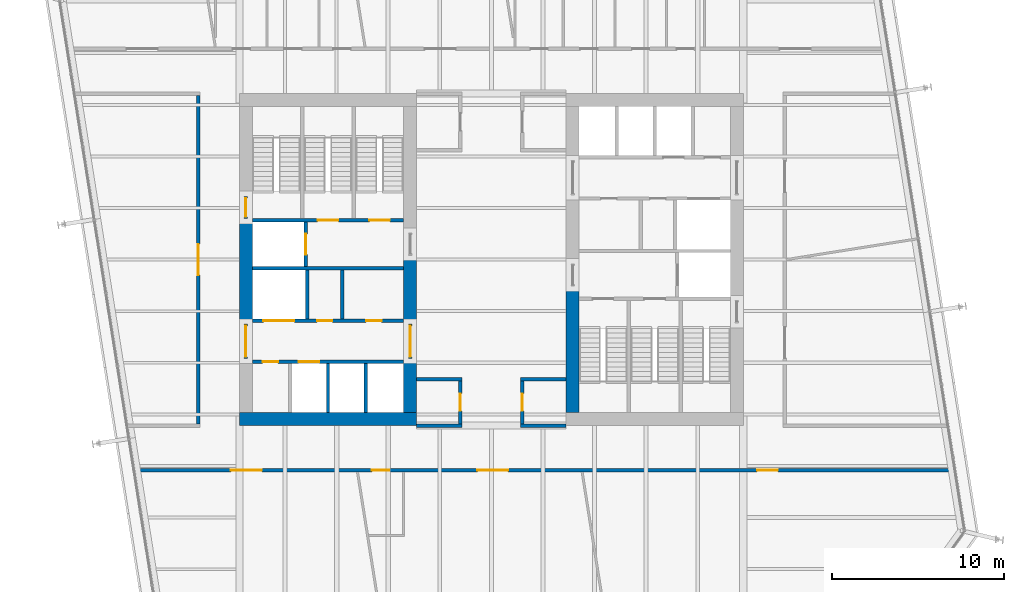
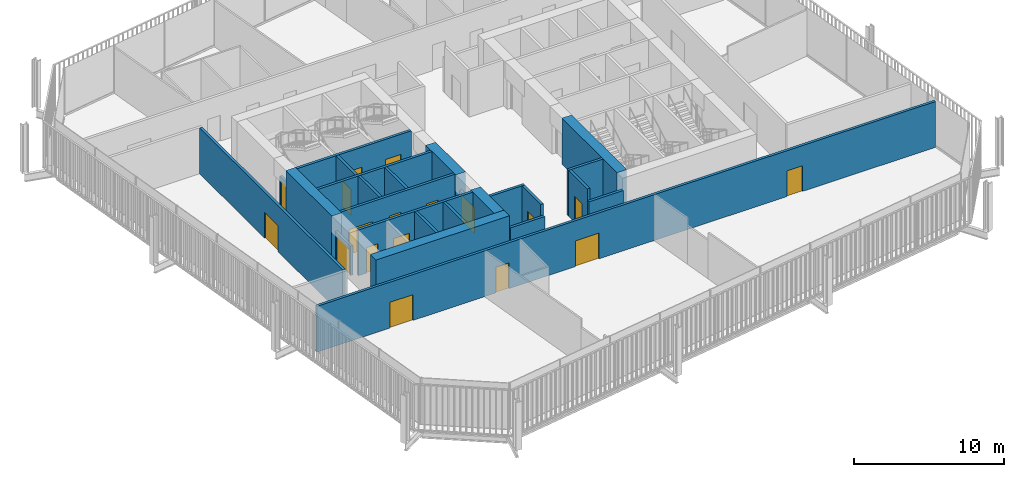
# One storey, part 17 of 21: 25 walls, 18 doors, 18 openings.
"""IFC4 building model written with IfcOpenShell, lengths in metres."""

from ifc_helpers import new_model, si_unit, direction, frame, frame_2d, origin, place, context, subcontext, project, spatial, rectangle, extrude, material, layer, layer_set, type_object, element, fill, save


model = new_model("IFC4")

# Units and contexts
model_context = context("Model", 3, precision=1e-05, world=origin(), true_north=direction((0.0, 1.0)))
body_context = subcontext(model_context, "Body", "Model", "MODEL_VIEW")
ifc_project = project(units=[si_unit("LENGTHUNIT", "METRE"), si_unit("AREAUNIT", "SQUARE_METRE"), si_unit("VOLUMEUNIT", "CUBIC_METRE"), si_unit("PLANEANGLEUNIT", "RADIAN"), si_unit("MASSUNIT", "GRAM", prefix="KILO")], contexts=[model_context])

# Site, building, storey
site_placement = place(None, origin())
site = spatial("IfcSite", under=ifc_project, at=site_placement, CompositionType="ELEMENT")
building_placement = place(site_placement, origin())
building = spatial("IfcBuilding", under=site, at=building_placement, Name="Millrace Tower", CompositionType="ELEMENT")
storey_placement = place(building_placement, frame((0.0, 0.0, 183.89990234375)))
storey = spatial("IfcBuildingStorey", under=building, at=storey_placement, Name="L41", CompositionType="ELEMENT", Elevation=183.89990234375)

# Walls
ifc_material_1 = material(Name="Concrete C70", Category="concrete")
ifc_layer_1 = layer(ifc_material_1, 0.75)
ifc_layer_set_1 = layer_set([ifc_layer_1], Name="Concrete C70")
wall_type_1 = type_object("IfcWallType", Name="Core wall 750 Concrete C70", PredefinedType="SHEAR", material=ifc_layer_set_1)
wall_1_placement = place(storey_placement, frame((-14.64990234375, -9.27490234375, 0.0), z_axis=(0.0, 0.0, 1.0), x_axis=(1.0, 0.0, 0.0)))
element("IfcWall", 1, at=wall_1_placement, inside=storey, type_object=wall_type_1, Name="Core wall W L41", PredefinedType="SHEAR", context=body_context, shape_type="SweptSolid", body=[
    extrude(rectangle(XDim=10.2998046875, YDim=0.75, at=frame_2d((5.14990234375, 0.0))), origin(), (0.0, 0.0, 1.0), 3.739990234375),
])
wall_2_placement = place(storey_placement, frame((-14.27490234375, -3.75, 0.0), z_axis=(0.0, 0.0, 1.0), x_axis=(0.0, 1.0, 0.0)))
element("IfcWall", 2, at=wall_2_placement, inside=storey, type_object=wall_type_1, Name="Core wall W L41", PredefinedType="SHEAR", context=body_context, shape_type="SweptSolid", body=[
    extrude(rectangle(XDim=6.1298828125, YDim=0.75, at=frame_2d((3.06494140625, 0.0))), origin(), (0.0, 0.0, 1.0), 3.739990234375),
])
wall_3_placement = place(storey_placement, frame((-4.72509765625, -8.89990234375, 0.0), z_axis=(0.0, 0.0, 1.0), x_axis=(0.0, 1.0, 0.0)))
element("IfcWall", 3, at=wall_3_placement, inside=storey, type_object=wall_type_1, Name="Core wall W L41", PredefinedType="SHEAR", context=body_context, shape_type="SweptSolid", body=[
    extrude(rectangle(XDim=3.14990234375, YDim=0.75, at=frame_2d((1.574951171875, 0.0))), origin(), (0.0, 0.0, 1.0), 3.739990234375),
])
wall_4_placement = place(storey_placement, frame((-4.72509765625, -3.75, 0.0), z_axis=(0.0, 0.0, 1.0), x_axis=(0.0, 1.0, 0.0)))
element("IfcWall", 4, at=wall_4_placement, inside=storey, type_object=wall_type_1, Name="Core wall W L41", PredefinedType="SHEAR", context=body_context, shape_type="SweptSolid", body=[
    extrude(rectangle(XDim=4.0, YDim=0.75, at=frame_2d((2.0, 0.0))), origin(), (0.0, 0.0, 1.0), 3.739990234375),
])
wall_5_placement = place(storey_placement, frame((4.72509765625, -1.550048828125, 0.0), z_axis=(0.0, 0.0, 1.0), x_axis=(0.0, -1.0, 0.0)))
element("IfcWall", 5, at=wall_5_placement, inside=storey, type_object=wall_type_1, Name="Core wall E L41", PredefinedType="SHEAR", context=body_context, shape_type="SweptSolid", body=[
    extrude(rectangle(XDim=7.349853515625, YDim=0.75, at=frame_2d((3.6748046875, 0.0))), origin(), (0.0, 0.0, 1.0), 3.739990234375),
])

# Wall, openings, doors
ifc_material_2 = material(Name="Masonry partition, fire-rated", Category="masonry")
ifc_layer_2 = layer(ifc_material_2, 0.199951171875)
ifc_layer_set_2 = layer_set([ifc_layer_2], Name="Masonry partition, fire-rated")
wall_type_2 = type_object("IfcWallType", Name="Corridor wall 200", PredefinedType="PARTITIONING", material=ifc_layer_set_2)
wall_6_placement = place(storey_placement, frame((-20.738525390625, -12.25, 0.0), z_axis=(0.0, 0.0, 1.0), x_axis=(1.0, 0.0, 0.0)))
wall_6 = element("IfcWall", 6, at=wall_6_placement, inside=storey, type_object=wall_type_2, Name="Corridor wall L41", PredefinedType="PARTITIONING", context=body_context, shape_type="SweptSolid", body=[
    extrude(rectangle(XDim=47.646484375, YDim=0.199951171875, at=frame_2d((23.8232421875, 0.0))), origin(), (0.0, 0.0, 1.0), 3.739990234375),
])
opening_1_placement = place(wall_6_placement, frame((5.594970703125, 0.0, 0.0)))
opening_1 = element("IfcOpeningElement", 7, at=opening_1_placement, cuts=wall_6, Name="Opening 41-P014", PredefinedType="OPENING", context=body_context, shape_type="SweptSolid", body=[
    extrude(rectangle(XDim=1.800048828125, YDim=2.10009765625, at=frame_2d((0.89990234375, 1.050048828125))), frame((0.0, 0.10986328125, 0.0), z_axis=(0.0, -1.0, 0.0), x_axis=(1.0, 0.0, 0.0)), (0.0, 0.0, 1.0), 0.219970703125),
])
opening_2_placement = place(wall_6_placement, frame((19.919921875, 0.0, 0.0)))
opening_2 = element("IfcOpeningElement", 8, at=opening_2_placement, cuts=wall_6, Name="Opening 41-P015", PredefinedType="OPENING", context=body_context, shape_type="SweptSolid", body=[
    extrude(rectangle(XDim=1.800048828125, YDim=2.10009765625, at=frame_2d((0.89990234375, 1.050048828125))), frame((0.0, 0.10986328125, 0.0), z_axis=(0.0, -1.0, 0.0), x_axis=(1.0, 0.0, 0.0)), (0.0, 0.0, 1.0), 0.219970703125),
])
opening_3_placement = place(wall_6_placement, frame((13.78955078125, 0.0, 0.0)))
opening_3 = element("IfcOpeningElement", 9, at=opening_3_placement, cuts=wall_6, Name="Opening 41-P016", PredefinedType="OPENING", context=body_context, shape_type="SweptSolid", body=[
    extrude(rectangle(XDim=1.0, YDim=2.10009765625, at=frame_2d((0.5, 1.050048828125))), frame((0.0, 0.10986328125, 0.0), z_axis=(0.0, -1.0, 0.0), x_axis=(1.0, 0.0, 0.0)), (0.0, 0.0, 1.0), 0.219970703125),
])
opening_4_placement = place(wall_6_placement, frame((36.197998046875, 0.0, 0.0)))
opening_4 = element("IfcOpeningElement", 10, at=opening_4_placement, cuts=wall_6, Name="Opening 41-P017", PredefinedType="OPENING", context=body_context, shape_type="SweptSolid", body=[
    extrude(rectangle(XDim=1.199951171875, YDim=2.10009765625, at=frame_2d((0.60009765625, 1.050048828125))), frame((0.0, 0.10986328125, 0.0), z_axis=(0.0, -1.0, 0.0), x_axis=(1.0, 0.0, 0.0)), (0.0, 0.0, 1.0), 0.219970703125),
])
ifc_material_3 = material(Name="Steel door set, fire-rated", Category="steel")
door_type_1 = type_object("IfcDoorType", Name="Corridor door 1000 x 2100", OperationType="SINGLE_SWING_LEFT", PredefinedType="DOOR", material=ifc_material_3)
door_1_placement = place(opening_3_placement, frame((1.0, 0.0, 0.0), z_axis=(0.0, 0.0, 1.0), x_axis=(-1.0, 0.0, 0.0)))
door_1 = element("IfcDoor", 11, at=door_1_placement, inside=storey, type_object=door_type_1, Name="Door 41-P016", OperationType="SINGLE_SWING_RIGHT", OverallHeight=2.10009765625, OverallWidth=1.0, PredefinedType="DOOR", context=body_context, shape_type="SweptSolid", body=[
    extrude(rectangle(XDim=1.0, YDim=2.10009765625, at=frame_2d((0.5, 1.050048828125))), frame((0.0, 0.02490234375, 0.0), z_axis=(0.0, -1.0, 0.0), x_axis=(1.0, 0.0, 0.0)), (0.0, 0.0, 1.0), 0.050048828125),
])
fill(opening_3, door_1)
ifc_material_4 = material(Name="Steel door set, fire-rated", Category="steel")
door_type_2 = type_object("IfcDoorType", Name="Corridor door 1200 x 2100", OperationType="SINGLE_SWING_LEFT", PredefinedType="DOOR", material=ifc_material_4)
door_2_placement = place(opening_4_placement, origin())
door_2 = element("IfcDoor", 12, at=door_2_placement, inside=storey, type_object=door_type_2, Name="Door 41-P017", OperationType="SINGLE_SWING_RIGHT", OverallHeight=2.10009765625, OverallWidth=1.199951171875, PredefinedType="DOOR", context=body_context, shape_type="SweptSolid", body=[
    extrude(rectangle(XDim=1.199951171875, YDim=2.10009765625, at=frame_2d((0.60009765625, 1.050048828125))), frame((0.0, 0.02490234375, 0.0), z_axis=(0.0, -1.0, 0.0), x_axis=(1.0, 0.0, 0.0)), (0.0, 0.0, 1.0), 0.050048828125),
])
fill(opening_4, door_2)
ifc_material_5 = material(Name="Steel door set, fire-rated", Category="steel")
door_type_3 = type_object("IfcDoorType", Name="Corridor door 1800 x 2100", OperationType="DOUBLE_DOOR_SINGLE_SWING", PredefinedType="DOOR", material=ifc_material_5)
door_3_placement = place(opening_1_placement, origin())
door_3 = element("IfcDoor", 13, at=door_3_placement, inside=storey, type_object=door_type_3, Name="Door 41-P014", OperationType="DOUBLE_DOOR_SINGLE_SWING", OverallHeight=2.10009765625, OverallWidth=1.800048828125, PredefinedType="DOOR", context=body_context, shape_type="SweptSolid", body=[
    extrude(rectangle(XDim=1.800048828125, YDim=2.10009765625, at=frame_2d((0.89990234375, 1.050048828125))), frame((0.0, 0.02490234375, 0.0), z_axis=(0.0, -1.0, 0.0), x_axis=(1.0, 0.0, 0.0)), (0.0, 0.0, 1.0), 0.050048828125),
])
fill(opening_1, door_3)
door_4_placement = place(opening_2_placement, frame((1.800048828125, 0.0, 0.0), z_axis=(0.0, 0.0, 1.0), x_axis=(-1.0, 0.0, 0.0)))
door_4 = element("IfcDoor", 14, at=door_4_placement, inside=storey, type_object=door_type_3, Name="Door 41-P015", OperationType="DOUBLE_DOOR_SINGLE_SWING", OverallHeight=2.10009765625, OverallWidth=1.800048828125, PredefinedType="DOOR", context=body_context, shape_type="SweptSolid", body=[
    extrude(rectangle(XDim=1.800048828125, YDim=2.10009765625, at=frame_2d((0.89990234375, 1.050048828125))), frame((0.0, 0.02490234375, 0.0), z_axis=(0.0, -1.0, 0.0), x_axis=(1.0, 0.0, 0.0)), (0.0, 0.0, 1.0), 0.050048828125),
])
fill(opening_2, door_4)

# Walls
for number, where, z_axis, x_axis, name in (
    (15, (-4.35009765625, -9.64990234375, 0.0), (0.0, 0.0, 1.0), (1.0, 0.0, 0.0), "Corridor wall L41"),
    (16, (1.699951171875, -9.64990234375, 0.0), (0.0, 0.0, 1.0), (1.0, 0.0, 0.0), "Corridor wall L41"),
):
    element("IfcWall", number, at=place(storey_placement, frame(where, z_axis=z_axis, x_axis=x_axis)), inside=storey, type_object=wall_type_2, Name=name, PredefinedType="PARTITIONING", context=body_context, shape_type="SweptSolid", body=[
        extrude(rectangle(XDim=2.650146484375, YDim=0.199951171875, at=frame_2d((1.3251953125, 0.0))), origin(), (0.0, 0.0, 1.0), 2.81298828125),
    ])
for number, where, z_axis, x_axis, name in (
    (17, (-4.35009765625, -6.949951171875, 0.0), (0.0, 0.0, 1.0), (1.0, 0.0, 0.0), "Corridor wall L41"),
    (18, (1.699951171875, -6.949951171875, 0.0), (0.0, 0.0, 1.0), (1.0, 0.0, 0.0), "Corridor wall L41"),
):
    element("IfcWall", number, at=place(storey_placement, frame(where, z_axis=z_axis, x_axis=x_axis)), inside=storey, type_object=wall_type_2, Name=name, PredefinedType="PARTITIONING", context=body_context, shape_type="SweptSolid", body=[
        extrude(rectangle(XDim=2.650146484375, YDim=0.199951171875, at=frame_2d((1.3251953125, 0.0))), origin(), (0.0, 0.0, 1.0), 3.739990234375),
    ])

# Wall, opening, door
wall_7_placement = place(storey_placement, frame((1.800048828125, -9.550048828125, 0.0), z_axis=(0.0, 0.0, 1.0), x_axis=(0.0, 1.0, 0.0)))
wall_7 = element("IfcWall", 19, at=wall_7_placement, inside=storey, type_object=wall_type_2, Name="Corridor wall L41", PredefinedType="PARTITIONING", context=body_context, shape_type="SweptSolid", body=[
    extrude(rectangle(XDim=2.5, YDim=0.199951171875, at=frame_2d((1.25, 0.0))), origin(), (0.0, 0.0, 1.0), 3.739990234375),
])
opening_5_placement = place(wall_7_placement, frame((0.75, 0.0, 0.0)))
opening_5 = element("IfcOpeningElement", 20, at=opening_5_placement, cuts=wall_7, Name="Opening 41-P004", PredefinedType="OPENING", context=body_context, shape_type="SweptSolid", body=[
    extrude(rectangle(XDim=1.0, YDim=2.10009765625, at=frame_2d((0.5, 1.050048828125))), frame((0.0, 0.10986328125, 0.0), z_axis=(0.0, -1.0, 0.0), x_axis=(1.0, 0.0, 0.0)), (0.0, 0.0, 1.0), 0.219970703125),
])
door_5_placement = place(opening_5_placement, frame((1.0, 0.0, 0.0), z_axis=(0.0, 0.0, 1.0), x_axis=(-1.0, 0.0, 0.0)))
door_5 = element("IfcDoor", 21, at=door_5_placement, inside=storey, type_object=door_type_1, Name="Door 41-P004", OperationType="SINGLE_SWING_RIGHT", OverallHeight=2.10009765625, OverallWidth=1.0, PredefinedType="DOOR", context=body_context, shape_type="SweptSolid", body=[
    extrude(rectangle(XDim=1.0, YDim=2.10009765625, at=frame_2d((0.5, 1.050048828125))), frame((0.0, 0.02490234375, 0.0), z_axis=(0.0, -1.0, 0.0), x_axis=(1.0, 0.0, 0.0)), (0.0, 0.0, 1.0), 0.050048828125),
])
fill(opening_5, door_5)

wall_8_placement = place(storey_placement, frame((-1.800048828125, -9.550048828125, 0.0), z_axis=(0.0, 0.0, 1.0), x_axis=(0.0, 1.0, 0.0)))
wall_8 = element("IfcWall", 22, at=wall_8_placement, inside=storey, type_object=wall_type_2, Name="Corridor wall L41", PredefinedType="PARTITIONING", context=body_context, shape_type="SweptSolid", body=[
    extrude(rectangle(XDim=2.5, YDim=0.199951171875, at=frame_2d((1.25, 0.0))), origin(), (0.0, 0.0, 1.0), 3.739990234375),
])
opening_6_placement = place(wall_8_placement, frame((0.75, 0.0, 0.0)))
opening_6 = element("IfcOpeningElement", 23, at=opening_6_placement, cuts=wall_8, Name="Opening 41-P003", PredefinedType="OPENING", context=body_context, shape_type="SweptSolid", body=[
    extrude(rectangle(XDim=1.0, YDim=2.10009765625, at=frame_2d((0.5, 1.050048828125))), frame((0.0, 0.10986328125, 0.0), z_axis=(0.0, -1.0, 0.0), x_axis=(1.0, 0.0, 0.0)), (0.0, 0.0, 1.0), 0.219970703125),
])
door_6_placement = place(opening_6_placement, origin())
door_6 = element("IfcDoor", 24, at=door_6_placement, inside=storey, type_object=door_type_1, Name="Door 41-P003", OperationType="SINGLE_SWING_LEFT", OverallHeight=2.10009765625, OverallWidth=1.0, PredefinedType="DOOR", context=body_context, shape_type="SweptSolid", body=[
    extrude(rectangle(XDim=1.0, YDim=2.10009765625, at=frame_2d((0.5, 1.050048828125))), frame((0.0, 0.02490234375, 0.0), z_axis=(0.0, -1.0, 0.0), x_axis=(1.0, 0.0, 0.0)), (0.0, 0.0, 1.0), 0.050048828125),
])
fill(opening_6, door_6)

wall_9_placement = place(storey_placement, frame((-17.050048828125, -9.550048828125, 0.0), z_axis=(0.0, 0.0, 1.0), x_axis=(0.0, 1.0, 0.0)))
wall_9 = element("IfcWall", 25, at=wall_9_placement, inside=storey, type_object=wall_type_2, Name="Corridor wall L41", PredefinedType="PARTITIONING", context=body_context, shape_type="SweptSolid", body=[
    extrude(rectangle(XDim=19.10009765625, YDim=0.199951171875, at=frame_2d((9.550048828125, 0.0))), origin(), (0.0, 0.0, 1.0), 3.739990234375),
])
opening_7_placement = place(wall_9_placement, frame((8.64990234375, 0.0, 0.0)))
opening_7 = element("IfcOpeningElement", 26, at=opening_7_placement, cuts=wall_9, Name="Opening 41-P018", PredefinedType="OPENING", context=body_context, shape_type="SweptSolid", body=[
    extrude(rectangle(XDim=1.800048828125, YDim=2.10009765625, at=frame_2d((0.89990234375, 1.050048828125))), frame((0.0, 0.10986328125, 0.0), z_axis=(0.0, -1.0, 0.0), x_axis=(1.0, 0.0, 0.0)), (0.0, 0.0, 1.0), 0.219970703125),
])
door_7_placement = place(opening_7_placement, origin())
door_7 = element("IfcDoor", 27, at=door_7_placement, inside=storey, type_object=door_type_3, Name="Door 41-P018", OperationType="DOUBLE_DOOR_SINGLE_SWING", OverallHeight=2.10009765625, OverallWidth=1.800048828125, PredefinedType="DOOR", context=body_context, shape_type="SweptSolid", body=[
    extrude(rectangle(XDim=1.800048828125, YDim=2.10009765625, at=frame_2d((0.89990234375, 1.050048828125))), frame((0.0, 0.02490234375, 0.0), z_axis=(0.0, -1.0, 0.0), x_axis=(1.0, 0.0, 0.0)), (0.0, 0.0, 1.0), 0.050048828125),
])
fill(opening_7, door_7)

# Wall, openings, doors
ifc_material_6 = material(Name="Masonry partition, fire-rated", Category="masonry")
ifc_layer_3 = layer(ifc_material_6, 0.199951171875)
ifc_layer_set_3 = layer_set([ifc_layer_3], Name="Masonry partition, fire-rated")
wall_type_3 = type_object("IfcWallType", Name="Lift shaft wall 200", PredefinedType="PARTITIONING", material=ifc_layer_set_3)
wall_10_placement = place(storey_placement, frame((-13.89990234375, -5.949951171875, 0.0), z_axis=(0.0, 0.0, 1.0), x_axis=(1.0, 0.0, 0.0)))
wall_10 = element("IfcWall", 28, at=wall_10_placement, inside=storey, type_object=wall_type_3, Name="Lift shaft wall W L41", PredefinedType="PARTITIONING", context=body_context, shape_type="SweptSolid", body=[
    extrude(rectangle(XDim=8.7998046875, YDim=0.199951171875, at=frame_2d((4.39990234375, 0.0))), origin(), (0.0, 0.0, 1.0), 3.739990234375),
])
opening_8_placement = place(wall_10_placement, frame((2.699951171875, 0.0, 0.0)))
opening_8 = element("IfcOpeningElement", 29, at=opening_8_placement, cuts=wall_10, Name="Opening 41-LD02", PredefinedType="OPENING", context=body_context, shape_type="SweptSolid", body=[
    extrude(rectangle(XDim=1.199951171875, YDim=2.10009765625, at=frame_2d((0.60009765625, 1.050048828125))), frame((0.0, 0.10986328125, 0.0), z_axis=(0.0, -1.0, 0.0), x_axis=(1.0, 0.0, 0.0)), (0.0, 0.0, 1.0), 0.219970703125),
])
opening_9_placement = place(wall_10_placement, frame((0.60009765625, 0.0, 0.0)))
opening_9 = element("IfcOpeningElement", 30, at=opening_9_placement, cuts=wall_10, Name="Opening 41-C005", PredefinedType="OPENING", context=body_context, shape_type="SweptSolid", body=[
    extrude(rectangle(XDim=0.89990234375, YDim=2.10009765625, at=frame_2d((0.449951171875, 1.050048828125))), frame((0.0, 0.10986328125, 0.0), z_axis=(0.0, -1.0, 0.0), x_axis=(1.0, 0.0, 0.0)), (0.0, 0.0, 1.0), 0.219970703125),
])
ifc_material_7 = material(Name="Stainless steel, fire-rated", Category="steel")
door_type_4 = type_object("IfcDoorType", Name="Lift landing door 1200 x 2100", OperationType="DOUBLE_DOOR_SLIDING", PredefinedType="DOOR", material=ifc_material_7)
door_8_placement = place(opening_8_placement, origin())
door_8 = element("IfcDoor", 31, at=door_8_placement, inside=storey, type_object=door_type_4, Name="Lift landing door LF2 L41", OperationType="DOUBLE_DOOR_SLIDING", OverallHeight=2.10009765625, OverallWidth=1.199951171875, PredefinedType="DOOR", context=body_context, shape_type="SweptSolid", body=[
    extrude(rectangle(XDim=1.199951171875, YDim=2.10009765625, at=frame_2d((0.60009765625, 1.050048828125))), frame((0.0, 0.02490234375, 0.0), z_axis=(0.0, -1.0, 0.0), x_axis=(1.0, 0.0, 0.0)), (0.0, 0.0, 1.0), 0.050048828125),
])
fill(opening_8, door_8)
ifc_material_8 = material(Name="Steel door, fire-rated", Category="steel")
door_type_5 = type_object("IfcDoorType", Name="Service room door 900 x 2100", OperationType="SINGLE_SWING_LEFT", PredefinedType="DOOR", material=ifc_material_8)
door_9_placement = place(opening_9_placement, frame((0.89990234375, 0.0, 0.0), z_axis=(0.0, 0.0, 1.0), x_axis=(-1.0, 0.0, 0.0)))
door_9 = element("IfcDoor", 32, at=door_9_placement, inside=storey, type_object=door_type_5, Name="Service room door 41-C005", OperationType="SINGLE_SWING_RIGHT", OverallHeight=2.10009765625, OverallWidth=0.89990234375, PredefinedType="DOOR", context=body_context, shape_type="SweptSolid", body=[
    extrude(rectangle(XDim=0.89990234375, YDim=2.10009765625, at=frame_2d((0.449951171875, 1.050048828125))), frame((0.0, 0.02490234375, 0.0), z_axis=(0.0, -1.0, 0.0), x_axis=(1.0, 0.0, 0.0)), (0.0, 0.0, 1.0), 0.050048828125),
])
fill(opening_9, door_9)

wall_11_placement = place(storey_placement, frame((-13.89990234375, -3.550048828125, 0.0), z_axis=(0.0, 0.0, 1.0), x_axis=(1.0, 0.0, 0.0)))
wall_11 = element("IfcWall", 33, at=wall_11_placement, inside=storey, type_object=wall_type_3, Name="Lift shaft wall W L41", PredefinedType="PARTITIONING", context=body_context, shape_type="SweptSolid", body=[
    extrude(rectangle(XDim=8.7998046875, YDim=0.199951171875, at=frame_2d((4.39990234375, 0.0))), origin(), (0.0, 0.0, 1.0), 3.739990234375),
])
opening_10_placement = place(wall_11_placement, frame((0.64990234375, 0.0, 0.0)))
opening_10 = element("IfcOpeningElement", 34, at=opening_10_placement, cuts=wall_11, Name="Opening 41-LD05", PredefinedType="OPENING", context=body_context, shape_type="SweptSolid", body=[
    extrude(rectangle(XDim=1.800048828125, YDim=2.10009765625, at=frame_2d((0.89990234375, 1.050048828125))), frame((0.0, 0.10986328125, 0.0), z_axis=(0.0, -1.0, 0.0), x_axis=(1.0, 0.0, 0.0)), (0.0, 0.0, 1.0), 0.219970703125),
])
opening_11_placement = place(wall_11_placement, frame((3.762451171875, 0.0, 0.0)))
opening_11 = element("IfcOpeningElement", 35, at=opening_11_placement, cuts=wall_11, Name="Opening 41-C006", PredefinedType="OPENING", context=body_context, shape_type="SweptSolid", body=[
    extrude(rectangle(XDim=0.89990234375, YDim=2.10009765625, at=frame_2d((0.449951171875, 1.050048828125))), frame((0.0, 0.10986328125, 0.0), z_axis=(0.0, -1.0, 0.0), x_axis=(1.0, 0.0, 0.0)), (0.0, 0.0, 1.0), 0.219970703125),
])
opening_12_placement = place(wall_11_placement, frame((6.612548828125, 0.0, 0.0)))
opening_12 = element("IfcOpeningElement", 36, at=opening_12_placement, cuts=wall_11, Name="Opening 41-C007", PredefinedType="OPENING", context=body_context, shape_type="SweptSolid", body=[
    extrude(rectangle(XDim=0.89990234375, YDim=2.10009765625, at=frame_2d((0.449951171875, 1.050048828125))), frame((0.0, 0.10986328125, 0.0), z_axis=(0.0, -1.0, 0.0), x_axis=(1.0, 0.0, 0.0)), (0.0, 0.0, 1.0), 0.219970703125),
])
ifc_material_9 = material(Name="Stainless steel, fire-rated", Category="steel")
door_type_6 = type_object("IfcDoorType", Name="Lift landing door 1800 x 2100", OperationType="DOUBLE_DOOR_SLIDING", PredefinedType="DOOR", material=ifc_material_9)
door_10_placement = place(opening_10_placement, origin())
door_10 = element("IfcDoor", 37, at=door_10_placement, inside=storey, type_object=door_type_6, Name="Lift landing door LF5 L41", OperationType="DOUBLE_DOOR_SLIDING", OverallHeight=2.10009765625, OverallWidth=1.800048828125, PredefinedType="DOOR", context=body_context, shape_type="SweptSolid", body=[
    extrude(rectangle(XDim=1.800048828125, YDim=2.10009765625, at=frame_2d((0.89990234375, 1.050048828125))), frame((0.0, 0.02490234375, 0.0), z_axis=(0.0, -1.0, 0.0), x_axis=(1.0, 0.0, 0.0)), (0.0, 0.0, 1.0), 0.050048828125),
])
fill(opening_10, door_10)
door_11_placement = place(opening_11_placement, origin())
door_11 = element("IfcDoor", 38, at=door_11_placement, inside=storey, type_object=door_type_5, Name="Service room door 41-C006", OperationType="SINGLE_SWING_LEFT", OverallHeight=2.10009765625, OverallWidth=0.89990234375, PredefinedType="DOOR", context=body_context, shape_type="SweptSolid", body=[
    extrude(rectangle(XDim=0.89990234375, YDim=2.10009765625, at=frame_2d((0.449951171875, 1.050048828125))), frame((0.0, 0.02490234375, 0.0), z_axis=(0.0, -1.0, 0.0), x_axis=(1.0, 0.0, 0.0)), (0.0, 0.0, 1.0), 0.050048828125),
])
fill(opening_11, door_11)
door_12_placement = place(opening_12_placement, origin())
door_12 = element("IfcDoor", 39, at=door_12_placement, inside=storey, type_object=door_type_5, Name="Service room door 41-C007", OperationType="SINGLE_SWING_RIGHT", OverallHeight=2.10009765625, OverallWidth=0.89990234375, PredefinedType="DOOR", context=body_context, shape_type="SweptSolid", body=[
    extrude(rectangle(XDim=0.89990234375, YDim=2.10009765625, at=frame_2d((0.449951171875, 1.050048828125))), frame((0.0, 0.02490234375, 0.0), z_axis=(0.0, -1.0, 0.0), x_axis=(1.0, 0.0, 0.0)), (0.0, 0.0, 1.0), 0.050048828125),
])
fill(opening_12, door_12)

# Wall
wall_12_placement = place(storey_placement, frame((-13.89990234375, -0.5, 0.0), z_axis=(0.0, 0.0, 1.0), x_axis=(1.0, 0.0, 0.0)))
element("IfcWall", 40, at=wall_12_placement, inside=storey, type_object=wall_type_3, Name="Lift shaft wall W L41", PredefinedType="PARTITIONING", context=body_context, shape_type="SweptSolid", body=[
    extrude(rectangle(XDim=8.7998046875, YDim=0.199951171875, at=frame_2d((4.39990234375, 0.0))), origin(), (0.0, 0.0, 1.0), 3.739990234375),
])

# Wall, opening, door
wall_13_placement = place(storey_placement, frame((-10.800048828125, -0.39990234375, 0.0), z_axis=(0.0, 0.0, 1.0), x_axis=(0.0, 1.0, 0.0)))
wall_13 = element("IfcWall", 41, at=wall_13_placement, inside=storey, type_object=wall_type_3, Name="Lift shaft wall W L41", PredefinedType="PARTITIONING", context=body_context, shape_type="SweptSolid", body=[
    extrude(rectangle(XDim=2.579833984375, YDim=0.199951171875, at=frame_2d((1.2900390625, 0.0))), origin(), (0.0, 0.0, 1.0), 3.739990234375),
])
opening_13_placement = place(wall_13_placement, frame((0.68994140625, 0.0, 0.0)))
opening_13 = element("IfcOpeningElement", 42, at=opening_13_placement, cuts=wall_13, Name="Opening 41-LD08", PredefinedType="OPENING", context=body_context, shape_type="SweptSolid", body=[
    extrude(rectangle(XDim=1.199951171875, YDim=2.10009765625, at=frame_2d((0.60009765625, 1.050048828125))), frame((0.0, 0.10986328125, 0.0), z_axis=(0.0, -1.0, 0.0), x_axis=(1.0, 0.0, 0.0)), (0.0, 0.0, 1.0), 0.219970703125),
])
door_13_placement = place(opening_13_placement, origin())
door_13 = element("IfcDoor", 43, at=door_13_placement, inside=storey, type_object=door_type_4, Name="Lift landing door LF8 L41", OperationType="DOUBLE_DOOR_SLIDING", OverallHeight=2.10009765625, OverallWidth=1.199951171875, PredefinedType="DOOR", context=body_context, shape_type="SweptSolid", body=[
    extrude(rectangle(XDim=1.199951171875, YDim=2.10009765625, at=frame_2d((0.60009765625, 1.050048828125))), frame((0.0, 0.02490234375, 0.0), z_axis=(0.0, -1.0, 0.0), x_axis=(1.0, 0.0, 0.0)), (0.0, 0.0, 1.0), 0.050048828125),
])
fill(opening_13, door_13)

# Walls
for number, where, z_axis, x_axis, name in (
    (44, (-9.5, -8.89990234375, 0.0), (0.0, 0.0, 1.0), (0.0, 1.0, 0.0), "Lift shaft wall W L41"),
    (45, (-7.300048828125, -8.89990234375, 0.0), (0.0, 0.0, 1.0), (0.0, 1.0, 0.0), "Lift shaft wall W L41"),
    (46, (-10.699951171875, -3.449951171875, 0.0), (0.0, 0.0, 1.0), (0.0, 1.0, 0.0), "Lift shaft wall W L41"),
):
    element("IfcWall", number, at=place(storey_placement, frame(where, z_axis=z_axis, x_axis=x_axis)), inside=storey, type_object=wall_type_3, Name=name, PredefinedType="PARTITIONING", context=body_context, shape_type="SweptSolid", body=[
        extrude(rectangle(XDim=2.849853515625, YDim=0.199951171875, at=frame_2d((1.4248046875, 0.0))), origin(), (0.0, 0.0, 1.0), 3.739990234375),
    ])

# Wall, opening, door
ifc_material_10 = material(Name="Masonry partition, fire-rated", Category="masonry")
ifc_layer_4 = layer(ifc_material_10, 0.199951171875)
ifc_layer_set_4 = layer_set([ifc_layer_4], Name="Masonry partition, fire-rated")
wall_type_4 = type_object("IfcWallType", Name="Lobby wall 200", PredefinedType="PARTITIONING", material=ifc_layer_set_4)
wall_14_placement = place(storey_placement, frame((-14.27490234375, -5.75, 0.0), z_axis=(0.0, 0.0, 1.0), x_axis=(0.0, 1.0, 0.0)))
wall_14 = element("IfcWall", 47, at=wall_14_placement, inside=storey, type_object=wall_type_4, Name="Lobby wall W L41", PredefinedType="PARTITIONING", context=body_context, shape_type="SweptSolid", body=[
    extrude(rectangle(XDim=2.0, YDim=0.199951171875, at=frame_2d((1.0, 0.0))), origin(), (0.0, 0.0, 1.0), 2.400146484375),
])
opening_14_placement = place(wall_14_placement, frame((0.10009765625, 0.0, 0.0)))
opening_14 = element("IfcOpeningElement", 48, at=opening_14_placement, cuts=wall_14, Name="Opening 41-C001", PredefinedType="OPENING", context=body_context, shape_type="SweptSolid", body=[
    extrude(rectangle(XDim=1.800048828125, YDim=2.10009765625, at=frame_2d((0.89990234375, 1.050048828125))), frame((0.0, 0.10986328125, 0.0), z_axis=(0.0, -1.0, 0.0), x_axis=(1.0, 0.0, 0.0)), (0.0, 0.0, 1.0), 0.219970703125),
])
ifc_material_11 = material(Name="Steel door, fire-rated", Category="steel")
door_type_7 = type_object("IfcDoorType", Name="Lobby door 1800 x 2100", OperationType="DOUBLE_DOOR_SINGLE_SWING", PredefinedType="DOOR", material=ifc_material_11)
door_14_placement = place(opening_14_placement, origin())
door_14 = element("IfcDoor", 49, at=door_14_placement, inside=storey, type_object=door_type_7, Name="Lobby door 41-C001", OperationType="DOUBLE_DOOR_SINGLE_SWING", OverallHeight=2.10009765625, OverallWidth=1.800048828125, PredefinedType="DOOR", context=body_context, shape_type="SweptSolid", body=[
    extrude(rectangle(XDim=1.800048828125, YDim=2.10009765625, at=frame_2d((0.89990234375, 1.050048828125))), frame((0.0, 0.02490234375, 0.0), z_axis=(0.0, -1.0, 0.0), x_axis=(1.0, 0.0, 0.0)), (0.0, 0.0, 1.0), 0.050048828125),
])
fill(opening_14, door_14)

wall_15_placement = place(storey_placement, frame((-4.72509765625, -5.75, 0.0), z_axis=(0.0, 0.0, 1.0), x_axis=(0.0, 1.0, 0.0)))
wall_15 = element("IfcWall", 50, at=wall_15_placement, inside=storey, type_object=wall_type_4, Name="Lobby wall W L41", PredefinedType="PARTITIONING", context=body_context, shape_type="SweptSolid", body=[
    extrude(rectangle(XDim=2.0, YDim=0.199951171875, at=frame_2d((1.0, 0.0))), origin(), (0.0, 0.0, 1.0), 2.400146484375),
])
opening_15_placement = place(wall_15_placement, frame((0.10009765625, 0.0, 0.0)))
opening_15 = element("IfcOpeningElement", 51, at=opening_15_placement, cuts=wall_15, Name="Opening 41-C003", PredefinedType="OPENING", context=body_context, shape_type="SweptSolid", body=[
    extrude(rectangle(XDim=1.800048828125, YDim=2.10009765625, at=frame_2d((0.89990234375, 1.050048828125))), frame((0.0, 0.10986328125, 0.0), z_axis=(0.0, -1.0, 0.0), x_axis=(1.0, 0.0, 0.0)), (0.0, 0.0, 1.0), 0.219970703125),
])
door_15_placement = place(opening_15_placement, origin())
door_15 = element("IfcDoor", 52, at=door_15_placement, inside=storey, type_object=door_type_7, Name="Lobby door 41-C003", OperationType="DOUBLE_DOOR_SINGLE_SWING", OverallHeight=2.10009765625, OverallWidth=1.800048828125, PredefinedType="DOOR", context=body_context, shape_type="SweptSolid", body=[
    extrude(rectangle(XDim=1.800048828125, YDim=2.10009765625, at=frame_2d((0.89990234375, 1.050048828125))), frame((0.0, 0.02490234375, 0.0), z_axis=(0.0, -1.0, 0.0), x_axis=(1.0, 0.0, 0.0)), (0.0, 0.0, 1.0), 0.050048828125),
])
fill(opening_15, door_15)

# Wall
ifc_material_12 = material(Name="Masonry partition, fire-rated", Category="masonry")
ifc_layer_5 = layer(ifc_material_12, 0.199951171875)
ifc_layer_set_5 = layer_set([ifc_layer_5], Name="Masonry partition, fire-rated")
wall_type_5 = type_object("IfcWallType", Name="Room partition 200", PredefinedType="PARTITIONING", material=ifc_layer_set_5)
wall_16_placement = place(storey_placement, frame((-8.675048828125, -3.449951171875, 0.0), z_axis=(0.0, 0.0, 1.0), x_axis=(0.0, 1.0, 0.0)))
element("IfcWall", 53, at=wall_16_placement, inside=storey, type_object=wall_type_5, Name="Room partition W L41", PredefinedType="PARTITIONING", context=body_context, shape_type="SweptSolid", body=[
    extrude(rectangle(XDim=2.849853515625, YDim=0.199951171875, at=frame_2d((1.4248046875, 0.0))), origin(), (0.0, 0.0, 1.0), 3.739990234375),
])

# Wall, opening, door
ifc_material_13 = material(Name="Concrete C40", Category="concrete")
ifc_layer_6 = layer(ifc_material_13, 0.199951171875)
ifc_layer_set_6 = layer_set([ifc_layer_6], Name="Concrete C40")
wall_type_6 = type_object("IfcWallType", Name="Stair enclosure wall 200 Concrete C40", PredefinedType="SHEAR", material=ifc_layer_set_6)
wall_17_placement = place(storey_placement, frame((-14.27490234375, 2.3798828125, 0.0), z_axis=(0.0, 0.0, 1.0), x_axis=(0.0, 1.0, 0.0)))
wall_17 = element("IfcWall", 54, at=wall_17_placement, inside=storey, type_object=wall_type_6, Name="Stair enclosure wall W L41", PredefinedType="SHEAR", context=body_context, shape_type="SweptSolid", body=[
    extrude(rectangle(XDim=1.300048828125, YDim=0.199951171875, at=frame_2d((0.64990234375, 0.0))), origin(), (0.0, 0.0, 1.0), 2.400146484375),
])
opening_16_placement = place(wall_17_placement, frame((0.10009765625, 0.0, 0.0)))
opening_16 = element("IfcOpeningElement", 55, at=opening_16_placement, cuts=wall_17, Name="Opening 41-C002", PredefinedType="OPENING", context=body_context, shape_type="SweptSolid", body=[
    extrude(rectangle(XDim=1.10009765625, YDim=2.10009765625, at=frame_2d((0.550048828125, 1.050048828125))), frame((0.0, 0.10986328125, 0.0), z_axis=(0.0, -1.0, 0.0), x_axis=(1.0, 0.0, 0.0)), (0.0, 0.0, 1.0), 0.219970703125),
])
ifc_material_14 = material(Name="Steel door, fire-rated", Category="steel")
door_type_8 = type_object("IfcDoorType", Name="Stair door 1100 x 2100", OperationType="SINGLE_SWING_LEFT", PredefinedType="DOOR", material=ifc_material_14)
door_16_placement = place(opening_16_placement, origin())
door_16 = element("IfcDoor", 56, at=door_16_placement, inside=storey, type_object=door_type_8, Name="Stair door 41-C002", OperationType="SINGLE_SWING_LEFT", OverallHeight=2.10009765625, OverallWidth=1.10009765625, PredefinedType="DOOR", context=body_context, shape_type="SweptSolid", body=[
    extrude(rectangle(XDim=1.10009765625, YDim=2.10009765625, at=frame_2d((0.550048828125, 1.050048828125))), frame((0.0, 0.02490234375, 0.0), z_axis=(0.0, -1.0, 0.0), x_axis=(1.0, 0.0, 0.0)), (0.0, 0.0, 1.0), 0.050048828125),
])
fill(opening_16, door_16)

# Wall, openings, doors
wall_18_placement = place(storey_placement, frame((-13.89990234375, 2.280029296875, 0.0), z_axis=(0.0, 0.0, 1.0), x_axis=(1.0, 0.0, 0.0)))
wall_18 = element("IfcWall", 57, at=wall_18_placement, inside=storey, type_object=wall_type_6, Name="Stair enclosure wall W L41", PredefinedType="SHEAR", context=body_context, shape_type="SweptSolid", body=[
    extrude(rectangle(XDim=8.7998046875, YDim=0.199951171875, at=frame_2d((4.39990234375, 0.0))), origin(), (0.0, 0.0, 1.0), 3.739990234375),
])
opening_17_placement = place(wall_18_placement, frame((3.800048828125, 0.0, 0.0)))
opening_17 = element("IfcOpeningElement", 58, at=opening_17_placement, cuts=wall_18, Name="Opening 41-C008", PredefinedType="OPENING", context=body_context, shape_type="SweptSolid", body=[
    extrude(rectangle(XDim=1.199951171875, YDim=2.10009765625, at=frame_2d((0.60009765625, 1.050048828125))), frame((0.0, 0.10986328125, 0.0), z_axis=(0.0, -1.0, 0.0), x_axis=(1.0, 0.0, 0.0)), (0.0, 0.0, 1.0), 0.219970703125),
])
opening_18_placement = place(wall_18_placement, frame((6.800048828125, 0.0, 0.0)))
opening_18 = element("IfcOpeningElement", 59, at=opening_18_placement, cuts=wall_18, Name="Opening 41-C009", PredefinedType="OPENING", context=body_context, shape_type="SweptSolid", body=[
    extrude(rectangle(XDim=1.199951171875, YDim=2.10009765625, at=frame_2d((0.60009765625, 1.050048828125))), frame((0.0, 0.10986328125, 0.0), z_axis=(0.0, -1.0, 0.0), x_axis=(1.0, 0.0, 0.0)), (0.0, 0.0, 1.0), 0.219970703125),
])
ifc_material_15 = material(Name="Steel door, fire-rated", Category="steel")
door_type_9 = type_object("IfcDoorType", Name="Stair door 1200 x 2100", OperationType="SINGLE_SWING_LEFT", PredefinedType="DOOR", material=ifc_material_15)
door_17_placement = place(opening_17_placement, frame((1.199951171875, 0.0, 0.0), z_axis=(0.0, 0.0, 1.0), x_axis=(-1.0, 0.0, 0.0)))
door_17 = element("IfcDoor", 60, at=door_17_placement, inside=storey, type_object=door_type_9, Name="Stair door 41-C008", OperationType="SINGLE_SWING_RIGHT", OverallHeight=2.10009765625, OverallWidth=1.199951171875, PredefinedType="DOOR", context=body_context, shape_type="SweptSolid", body=[
    extrude(rectangle(XDim=1.199951171875, YDim=2.10009765625, at=frame_2d((0.60009765625, 1.050048828125))), frame((0.0, 0.02490234375, 0.0), z_axis=(0.0, -1.0, 0.0), x_axis=(1.0, 0.0, 0.0)), (0.0, 0.0, 1.0), 0.050048828125),
])
fill(opening_17, door_17)
door_18_placement = place(opening_18_placement, frame((1.199951171875, 0.0, 0.0), z_axis=(0.0, 0.0, 1.0), x_axis=(-1.0, 0.0, 0.0)))
door_18 = element("IfcDoor", 61, at=door_18_placement, inside=storey, type_object=door_type_9, Name="Stair door 41-C009", OperationType="SINGLE_SWING_LEFT", OverallHeight=2.10009765625, OverallWidth=1.199951171875, PredefinedType="DOOR", context=body_context, shape_type="SweptSolid", body=[
    extrude(rectangle(XDim=1.199951171875, YDim=2.10009765625, at=frame_2d((0.60009765625, 1.050048828125))), frame((0.0, 0.02490234375, 0.0), z_axis=(0.0, -1.0, 0.0), x_axis=(1.0, 0.0, 0.0)), (0.0, 0.0, 1.0), 0.050048828125),
])
fill(opening_18, door_18)

save(model, "model.ifc")
